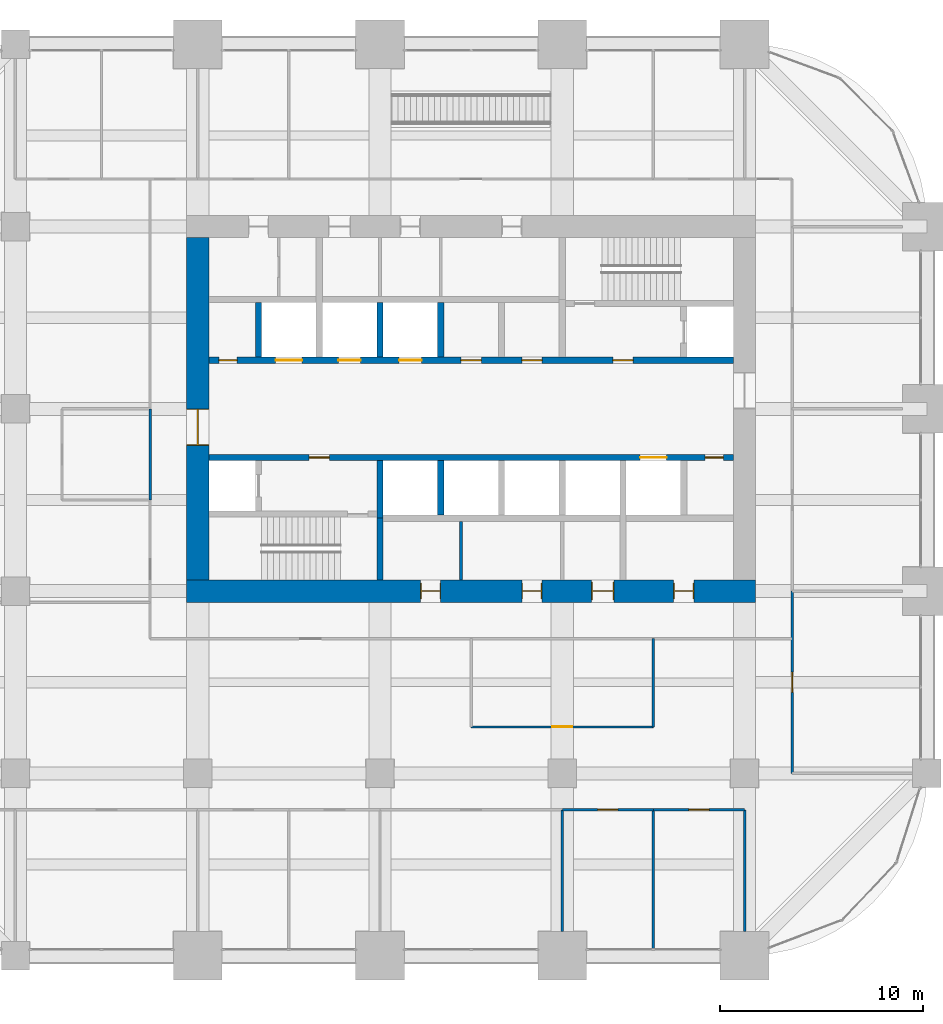
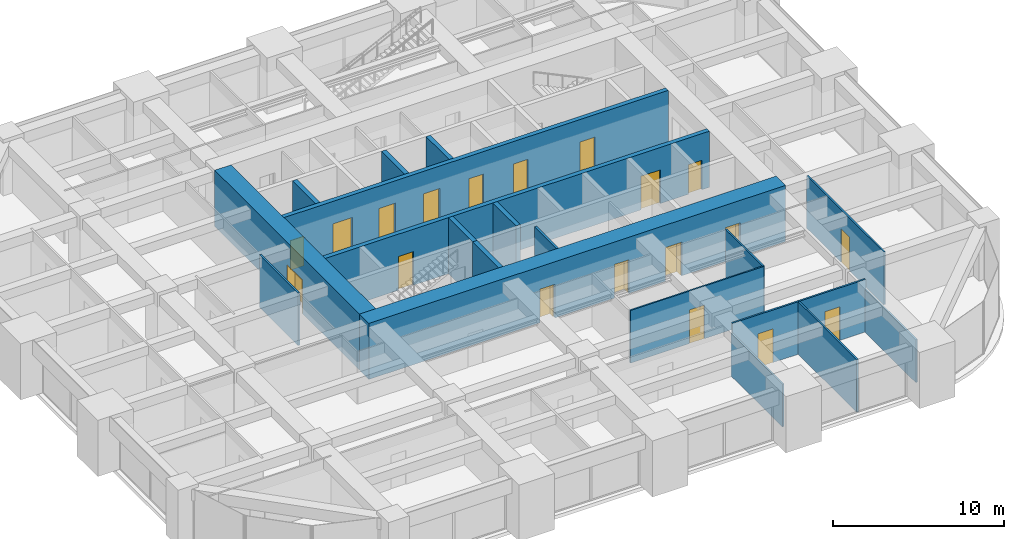
# One storey, part 30 of 34: 20 walls, 19 doors, 19 openings.
"""IFC4 building model written with IfcOpenShell, lengths in metres."""

from ifc_helpers import new_model, si_unit, direction, frame, frame_2d, origin, place, context, subcontext, project, spatial, rectangle, extrude, material, layer, layer_set, type_object, element, fill, save


model = new_model("IFC4")

# Units and contexts
model_context = context("Model", 3, precision=1e-05, world=origin(), true_north=direction((0.0, 1.0)))
body_context = subcontext(model_context, "Body", "Model", "MODEL_VIEW")
ifc_project = project(units=[si_unit("LENGTHUNIT", "METRE"), si_unit("AREAUNIT", "SQUARE_METRE"), si_unit("VOLUMEUNIT", "CUBIC_METRE"), si_unit("PLANEANGLEUNIT", "RADIAN"), si_unit("MASSUNIT", "GRAM", prefix="KILO")], contexts=[model_context])

# Site, building, storey
site_placement = place(None, origin())
site = spatial("IfcSite", under=ifc_project, at=site_placement, CompositionType="ELEMENT")
building_placement = place(site_placement, origin())
building = spatial("IfcBuilding", under=site, at=building_placement, Name="Zorevar Civic Tower", CompositionType="ELEMENT")
storey_placement = place(building_placement, frame((0.0, 0.0, 214.199951171875)))
storey = spatial("IfcBuildingStorey", under=building, at=storey_placement, Name="L52", CompositionType="ELEMENT", Elevation=214.199951171875)

# Wall, openings, doors
ifc_material_1 = material(Name="Concrete C50/60", Category="concrete")
ifc_layer_1 = layer(ifc_material_1, 1.10009765625)
ifc_layer_set_1 = layer_set([ifc_layer_1], Name="Core wall 1100")
wall_type_1 = type_object("IfcWallType", Name="Core wall 1100", PredefinedType="SHEAR", material=ifc_layer_set_1)
wall_1_placement = place(storey_placement, frame((17.449951171875, 18.0, 0.0), z_axis=(0.0, 0.0, 1.0), x_axis=(1.0, 0.0, 0.0)))
wall_1 = element("IfcWall", 1, at=wall_1_placement, inside=storey, type_object=wall_type_1, Name="Core wall S L52", PredefinedType="SHEAR", context=body_context, shape_type="SweptSolid", body=[
    extrude(rectangle(XDim=28.10009765625, YDim=1.10009765625, at=frame_2d((14.050048828125, 0.0))), origin(), (0.0, 0.0, 1.0), 4.0),
])
opening_1_placement = place(wall_1_placement, frame((11.550048828125, 0.0, 0.0)))
opening_1 = element("IfcOpeningElement", 2, at=opening_1_placement, cuts=wall_1, Name="Opening L52.03", PredefinedType="OPENING", context=body_context, shape_type="SweptSolid", body=[
    extrude(rectangle(XDim=1.0, YDim=2.39990234375, at=frame_2d((0.5, 1.199951171875))), frame((0.0, 0.56005859375, 0.0), z_axis=(0.0, -1.0, 0.0), x_axis=(1.0, 0.0, 0.0)), (0.0, 0.0, 1.0), 1.1201171875),
])
opening_2_placement = place(wall_1_placement, frame((16.550048828125, 0.0, 0.0)))
opening_2 = element("IfcOpeningElement", 3, at=opening_2_placement, cuts=wall_1, Name="Opening L52.04", PredefinedType="OPENING", context=body_context, shape_type="SweptSolid", body=[
    extrude(rectangle(XDim=1.0, YDim=2.39990234375, at=frame_2d((0.5, 1.199951171875))), frame((0.0, 0.56005859375, 0.0), z_axis=(0.0, -1.0, 0.0), x_axis=(1.0, 0.0, 0.0)), (0.0, 0.0, 1.0), 1.1201171875),
])
opening_3_placement = place(wall_1_placement, frame((20.0, 0.0, 0.0)))
opening_3 = element("IfcOpeningElement", 4, at=opening_3_placement, cuts=wall_1, Name="Opening L52.05", PredefinedType="OPENING", context=body_context, shape_type="SweptSolid", body=[
    extrude(rectangle(XDim=1.10009765625, YDim=2.39990234375, at=frame_2d((0.550048828125, 1.199951171875))), frame((0.0, 0.56005859375, 0.0), z_axis=(0.0, -1.0, 0.0), x_axis=(1.0, 0.0, 0.0)), (0.0, 0.0, 1.0), 1.1201171875),
])
opening_4_placement = place(wall_1_placement, frame((24.050048828125, 0.0, 0.0)))
opening_4 = element("IfcOpeningElement", 5, at=opening_4_placement, cuts=wall_1, Name="Opening L52.06", PredefinedType="OPENING", context=body_context, shape_type="SweptSolid", body=[
    extrude(rectangle(XDim=1.0, YDim=2.39990234375, at=frame_2d((0.5, 1.199951171875))), frame((0.0, 0.56005859375, 0.0), z_axis=(0.0, -1.0, 0.0), x_axis=(1.0, 0.0, 0.0)), (0.0, 0.0, 1.0), 1.1201171875),
])
ifc_material_2 = material(Name="Timber door set", Category="wood")
door_type_1 = type_object("IfcDoorType", Name="Door D1 1000x2400", OperationType="SINGLE_SWING_LEFT", PredefinedType="DOOR", material=ifc_material_2)
door_1_placement = place(opening_1_placement, origin())
door_1 = element("IfcDoor", 6, at=door_1_placement, inside=storey, type_object=door_type_1, Name="Door L52 02", OperationType="SINGLE_SWING_RIGHT", OverallHeight=2.39990234375, OverallWidth=1.0, PredefinedType="DOOR", context=body_context, shape_type="SweptSolid", body=[
    extrude(rectangle(XDim=1.0, YDim=2.39990234375, at=frame_2d((0.5, 1.199951171875))), frame((0.0, 0.02490234375, 0.0), z_axis=(0.0, -1.0, 0.0), x_axis=(1.0, 0.0, 0.0)), (0.0, 0.0, 1.0), 0.050048828125),
    extrude(rectangle(XDim=0.04, YDim=2.39990234375, at=frame_2d((0.02001953125, 1.199951171875))), frame((0.0, 0.39990234375, 0.0), z_axis=(0.0, -1.0, 0.0), x_axis=(1.0, 0.0, 0.0)), (0.0, 0.0, 1.0), 0.800048828125),
    extrude(rectangle(XDim=0.04, YDim=2.39990234375, at=frame_2d((0.97998046875, 1.199951171875))), frame((0.0, 0.39990234375, 0.0), z_axis=(0.0, -1.0, 0.0), x_axis=(1.0, 0.0, 0.0)), (0.0, 0.0, 1.0), 0.800048828125),
    extrude(rectangle(XDim=1.0, YDim=0.04, at=frame_2d((0.5, 2.3798828125))), frame((0.0, 0.39990234375, 0.0), z_axis=(0.0, -1.0, 0.0), x_axis=(1.0, 0.0, 0.0)), (0.0, 0.0, 1.0), 0.800048828125),
])
fill(opening_1, door_1)
door_2_placement = place(opening_2_placement, origin())
door_2 = element("IfcDoor", 7, at=door_2_placement, inside=storey, type_object=door_type_1, Name="Door L52 03", OperationType="SINGLE_SWING_LEFT", OverallHeight=2.39990234375, OverallWidth=1.0, PredefinedType="DOOR", context=body_context, shape_type="SweptSolid", body=[
    extrude(rectangle(XDim=1.0, YDim=2.39990234375, at=frame_2d((0.5, 1.199951171875))), frame((0.0, 0.02490234375, 0.0), z_axis=(0.0, -1.0, 0.0), x_axis=(1.0, 0.0, 0.0)), (0.0, 0.0, 1.0), 0.050048828125),
    extrude(rectangle(XDim=0.04, YDim=2.39990234375, at=frame_2d((0.02001953125, 1.199951171875))), frame((0.0, 0.39990234375, 0.0), z_axis=(0.0, -1.0, 0.0), x_axis=(1.0, 0.0, 0.0)), (0.0, 0.0, 1.0), 0.800048828125),
    extrude(rectangle(XDim=0.04, YDim=2.39990234375, at=frame_2d((0.97998046875, 1.199951171875))), frame((0.0, 0.39990234375, 0.0), z_axis=(0.0, -1.0, 0.0), x_axis=(1.0, 0.0, 0.0)), (0.0, 0.0, 1.0), 0.800048828125),
    extrude(rectangle(XDim=1.0, YDim=0.04, at=frame_2d((0.5, 2.3798828125))), frame((0.0, 0.39990234375, 0.0), z_axis=(0.0, -1.0, 0.0), x_axis=(1.0, 0.0, 0.0)), (0.0, 0.0, 1.0), 0.800048828125),
])
fill(opening_2, door_2)
door_3_placement = place(opening_4_placement, origin())
door_3 = element("IfcDoor", 8, at=door_3_placement, inside=storey, type_object=door_type_1, Name="Door L52 05", OperationType="SINGLE_SWING_LEFT", OverallHeight=2.39990234375, OverallWidth=1.0, PredefinedType="DOOR", context=body_context, shape_type="SweptSolid", body=[
    extrude(rectangle(XDim=1.0, YDim=2.39990234375, at=frame_2d((0.5, 1.199951171875))), frame((0.0, 0.02490234375, 0.0), z_axis=(0.0, -1.0, 0.0), x_axis=(1.0, 0.0, 0.0)), (0.0, 0.0, 1.0), 0.050048828125),
    extrude(rectangle(XDim=0.04, YDim=2.39990234375, at=frame_2d((0.02001953125, 1.199951171875))), frame((0.0, 0.39990234375, 0.0), z_axis=(0.0, -1.0, 0.0), x_axis=(1.0, 0.0, 0.0)), (0.0, 0.0, 1.0), 0.800048828125),
    extrude(rectangle(XDim=0.04, YDim=2.39990234375, at=frame_2d((0.97998046875, 1.199951171875))), frame((0.0, 0.39990234375, 0.0), z_axis=(0.0, -1.0, 0.0), x_axis=(1.0, 0.0, 0.0)), (0.0, 0.0, 1.0), 0.800048828125),
    extrude(rectangle(XDim=1.0, YDim=0.04, at=frame_2d((0.5, 2.3798828125))), frame((0.0, 0.39990234375, 0.0), z_axis=(0.0, -1.0, 0.0), x_axis=(1.0, 0.0, 0.0)), (0.0, 0.0, 1.0), 0.800048828125),
])
fill(opening_4, door_3)
ifc_material_3 = material(Name="Timber door set", Category="wood")
door_type_2 = type_object("IfcDoorType", Name="Door D5 1100x2400", OperationType="SINGLE_SWING_LEFT", PredefinedType="DOOR", material=ifc_material_3)
door_4_placement = place(opening_3_placement, origin())
door_4 = element("IfcDoor", 9, at=door_4_placement, inside=storey, type_object=door_type_2, Name="Door L52 04", OperationType="SINGLE_SWING_LEFT", OverallHeight=2.39990234375, OverallWidth=1.10009765625, PredefinedType="DOOR", context=body_context, shape_type="SweptSolid", body=[
    extrude(rectangle(XDim=1.10009765625, YDim=2.39990234375, at=frame_2d((0.550048828125, 1.199951171875))), frame((0.0, 0.02490234375, 0.0), z_axis=(0.0, -1.0, 0.0), x_axis=(1.0, 0.0, 0.0)), (0.0, 0.0, 1.0), 0.050048828125),
    extrude(rectangle(XDim=0.04, YDim=2.39990234375, at=frame_2d((0.02001953125, 1.199951171875))), frame((0.0, 0.43994140625, 0.0), z_axis=(0.0, -1.0, 0.0), x_axis=(1.0, 0.0, 0.0)), (0.0, 0.0, 1.0), 0.880126953125),
    extrude(rectangle(XDim=0.04, YDim=2.39990234375, at=frame_2d((1.080078125, 1.199951171875))), frame((0.0, 0.43994140625, 0.0), z_axis=(0.0, -1.0, 0.0), x_axis=(1.0, 0.0, 0.0)), (0.0, 0.0, 1.0), 0.880126953125),
    extrude(rectangle(XDim=1.10009765625, YDim=0.04, at=frame_2d((0.550048828125, 2.3798828125))), frame((0.0, 0.43994140625, 0.0), z_axis=(0.0, -1.0, 0.0), x_axis=(1.0, 0.0, 0.0)), (0.0, 0.0, 1.0), 0.880126953125),
])
fill(opening_3, door_4)

# Wall, opening, door
wall_2_placement = place(storey_placement, frame((18.0, 35.449951171875, 0.0), z_axis=(0.0, 0.0, 1.0), x_axis=(0.0, -1.0, 0.0)))
wall_2 = element("IfcWall", 10, at=wall_2_placement, inside=storey, type_object=wall_type_1, Name="Core wall W L52", PredefinedType="SHEAR", context=body_context, shape_type="SweptSolid", body=[
    extrude(rectangle(XDim=16.89990234375, YDim=1.10009765625, at=frame_2d((8.449951171875, 0.0))), origin(), (0.0, 0.0, 1.0), 4.0),
])
opening_5_placement = place(wall_2_placement, frame((8.449951171875, 0.0, 0.0)))
opening_5 = element("IfcOpeningElement", 11, at=opening_5_placement, cuts=wall_2, Name="Opening L52.01", PredefinedType="OPENING", context=body_context, shape_type="SweptSolid", body=[
    extrude(rectangle(XDim=1.800048828125, YDim=2.39990234375, at=frame_2d((0.89990234375, 1.199951171875))), frame((0.0, 0.56005859375, 0.0), z_axis=(0.0, -1.0, 0.0), x_axis=(1.0, 0.0, 0.0)), (0.0, 0.0, 1.0), 1.1201171875),
])
ifc_material_4 = material(Name="Steel door set", Category="steel")
door_type_3 = type_object("IfcDoorType", Name="Fire door FD2 1800x2400", OperationType="DOUBLE_DOOR_DOUBLE_SWING", PredefinedType="DOOR", material=ifc_material_4)
door_5_placement = place(opening_5_placement, origin())
door_5 = element("IfcDoor", 12, at=door_5_placement, inside=storey, type_object=door_type_3, Name="Door L52 00", OperationType="DOUBLE_DOOR_DOUBLE_SWING", OverallHeight=2.39990234375, OverallWidth=1.800048828125, PredefinedType="DOOR", context=body_context, shape_type="SweptSolid", body=[
    extrude(rectangle(XDim=1.800048828125, YDim=2.39990234375, at=frame_2d((0.89990234375, 1.199951171875))), frame((0.0, 0.030029296875, 0.0), z_axis=(0.0, -1.0, 0.0), x_axis=(1.0, 0.0, 0.0)), (0.0, 0.0, 1.0), 0.06005859375),
    extrude(rectangle(XDim=0.04, YDim=2.39990234375, at=frame_2d((0.02001953125, 1.199951171875))), frame((0.0, 0.5498046875, 0.0), z_axis=(0.0, -1.0, 0.0), x_axis=(1.0, 0.0, 0.0)), (0.0, 0.0, 1.0), 1.099609375),
    extrude(rectangle(XDim=0.04, YDim=2.39990234375, at=frame_2d((1.780029296875, 1.199951171875))), frame((0.0, 0.5498046875, 0.0), z_axis=(0.0, -1.0, 0.0), x_axis=(1.0, 0.0, 0.0)), (0.0, 0.0, 1.0), 1.099609375),
    extrude(rectangle(XDim=1.800048828125, YDim=0.04, at=frame_2d((0.89990234375, 2.3798828125))), frame((0.0, 0.5498046875, 0.0), z_axis=(0.0, -1.0, 0.0), x_axis=(1.0, 0.0, 0.0)), (0.0, 0.0, 1.0), 1.099609375),
])
fill(opening_5, door_5)

ifc_material_5 = material(Name="Laminated glass in black aluminium frame", Category="aluminium")
ifc_layer_2 = layer(ifc_material_5, 0.10009765625)
ifc_layer_set_2 = layer_set([ifc_layer_2], Name="Glazed partition 100")
wall_type_2 = type_object("IfcWallType", Name="Glazed partition 100", PredefinedType="PARTITIONING", material=ifc_layer_set_2)
wall_3_placement = place(storey_placement, frame((31.5, 11.300048828125, 0.0), z_axis=(0.0, 0.0, 1.0), x_axis=(1.0, 0.0, 0.0)))
wall_3 = element("IfcWall", 13, at=wall_3_placement, inside=storey, type_object=wall_type_2, Name="Glazed partition 100 L52", PredefinedType="PARTITIONING", context=body_context, shape_type="SweptSolid", body=[
    extrude(rectangle(XDim=9.0, YDim=0.10009765625, at=frame_2d((4.5, 0.0))), origin(), (0.0, 0.0, 1.0), 3.75),
])
opening_6_placement = place(wall_3_placement, frame((4.0, 0.0, 0.0)))
opening_6 = element("IfcOpeningElement", 14, at=opening_6_placement, cuts=wall_3, Name="Opening L52.24", PredefinedType="OPENING", context=body_context, shape_type="SweptSolid", body=[
    extrude(rectangle(XDim=1.0, YDim=2.39990234375, at=frame_2d((0.5, 1.199951171875))), frame((0.0, 0.06005859375, 0.0), z_axis=(0.0, -1.0, 0.0), x_axis=(1.0, 0.0, 0.0)), (0.0, 0.0, 1.0), 0.1201171875),
])
ifc_material_6 = material(Name="Timber door set", Category="wood")
door_type_4 = type_object("IfcDoorType", Name="Glazed door GD1 1000x2400", OperationType="SINGLE_SWING_LEFT", PredefinedType="DOOR", material=ifc_material_6)
door_6_placement = place(opening_6_placement, origin())
door_6 = element("IfcDoor", 15, at=door_6_placement, inside=storey, type_object=door_type_4, Name="Door L52 D1", OperationType="SINGLE_SWING_RIGHT", OverallHeight=2.39990234375, OverallWidth=1.0, PredefinedType="DOOR", context=body_context, shape_type="SweptSolid", body=[
    extrude(rectangle(XDim=1.0, YDim=2.39990234375, at=frame_2d((0.5, 1.199951171875))), frame((0.0, 0.02001953125, 0.0), z_axis=(0.0, -1.0, 0.0), x_axis=(1.0, 0.0, 0.0)), (0.0, 0.0, 1.0), 0.0400390625),
])
fill(opening_6, door_6)

# Wall
ifc_material_7 = material(Name="Concrete C40/50", Category="concrete")
ifc_layer_3 = layer(ifc_material_7, 0.300048828125)
ifc_layer_set_3 = layer_set([ifc_layer_3], Name="Inner core wall 300")
wall_type_3 = type_object("IfcWallType", Name="Inner core wall 300", PredefinedType="SHEAR", material=ifc_layer_set_3)
wall_4_placement = place(storey_placement, frame((27.0, 18.550048828125, 0.0), z_axis=(0.0, 0.0, 1.0), x_axis=(0.0, 1.0, 0.0)))
element("IfcWall", 16, at=wall_4_placement, inside=storey, type_object=wall_type_3, Name="Inner core wall S01 L52", PredefinedType="SHEAR", context=body_context, shape_type="SweptSolid", body=[
    extrude(rectangle(XDim=3.050048828125, YDim=0.300048828125, at=frame_2d((1.52490234375, 0.0))), origin(), (0.0, 0.0, 1.0), 4.0),
])

# Wall, openings, doors
wall_5_placement = place(storey_placement, frame((18.550048828125, 24.60009765625, 0.0), z_axis=(0.0, 0.0, 1.0), x_axis=(1.0, 0.0, 0.0)))
wall_5 = element("IfcWall", 17, at=wall_5_placement, inside=storey, type_object=wall_type_3, Name="Inner core wall S03 L52", PredefinedType="SHEAR", context=body_context, shape_type="SweptSolid", body=[
    extrude(rectangle(XDim=25.89990234375, YDim=0.300048828125, at=frame_2d((12.949951171875, 0.0))), origin(), (0.0, 0.0, 1.0), 4.0),
])
opening_7_placement = place(wall_5_placement, frame((4.949951171875, 0.0, 0.0)))
opening_7 = element("IfcOpeningElement", 18, at=opening_7_placement, cuts=wall_5, Name="Opening L52.13", PredefinedType="OPENING", context=body_context, shape_type="SweptSolid", body=[
    extrude(rectangle(XDim=1.0, YDim=2.39990234375, at=frame_2d((0.5, 1.199951171875))), frame((0.0, 0.159912109375, 0.0), z_axis=(0.0, -1.0, 0.0), x_axis=(1.0, 0.0, 0.0)), (0.0, 0.0, 1.0), 0.320068359375),
])
opening_8_placement = place(wall_5_placement, frame((24.5, 0.0, 0.0)))
opening_8 = element("IfcOpeningElement", 19, at=opening_8_placement, cuts=wall_5, Name="Opening L52.15", PredefinedType="OPENING", context=body_context, shape_type="SweptSolid", body=[
    extrude(rectangle(XDim=0.89990234375, YDim=2.10009765625, at=frame_2d((0.449951171875, 1.050048828125))), frame((0.0, 0.159912109375, 0.0), z_axis=(0.0, -1.0, 0.0), x_axis=(1.0, 0.0, 0.0)), (0.0, 0.0, 1.0), 0.320068359375),
])
opening_9_placement = place(wall_5_placement, frame((21.300048828125, 0.0, 0.0)))
opening_9 = element("IfcOpeningElement", 20, at=opening_9_placement, cuts=wall_5, Name="Opening L52.SL1", PredefinedType="OPENING", context=body_context, shape_type="SweptSolid", body=[
    extrude(rectangle(XDim=1.300048828125, YDim=2.39990234375, at=frame_2d((0.64990234375, 1.199951171875))), frame((0.0, 0.159912109375, 0.0), z_axis=(0.0, -1.0, 0.0), x_axis=(1.0, 0.0, 0.0)), (0.0, 0.0, 1.0), 0.320068359375),
])
ifc_material_8 = material(Name="Steel door set", Category="steel")
door_type_5 = type_object("IfcDoorType", Name="Fire door FD1 1000x2400", OperationType="SINGLE_SWING_LEFT", PredefinedType="DOOR", material=ifc_material_8)
door_7_placement = place(opening_7_placement, origin())
door_7 = element("IfcDoor", 21, at=door_7_placement, inside=storey, type_object=door_type_5, Name="Door L52 12", OperationType="SINGLE_SWING_RIGHT", OverallHeight=2.39990234375, OverallWidth=1.0, PredefinedType="DOOR", context=body_context, shape_type="SweptSolid", body=[
    extrude(rectangle(XDim=1.0, YDim=2.39990234375, at=frame_2d((0.5, 1.199951171875))), frame((0.0, 0.030029296875, 0.0), z_axis=(0.0, -1.0, 0.0), x_axis=(1.0, 0.0, 0.0)), (0.0, 0.0, 1.0), 0.06005859375),
])
fill(opening_7, door_7)
ifc_material_9 = material(Name="Steel door set", Category="steel")
door_type_6 = type_object("IfcDoorType", Name="Landing door LD2 1300x2400", OperationType="DOUBLE_DOOR_SLIDING", PredefinedType="DOOR", material=ifc_material_9)
door_8_placement = place(opening_9_placement, origin())
door_8 = element("IfcDoor", 22, at=door_8_placement, inside=storey, type_object=door_type_6, Name="Landing door SL1 L52", OperationType="DOUBLE_DOOR_SLIDING", OverallHeight=2.39990234375, OverallWidth=1.300048828125, PredefinedType="DOOR", context=body_context, shape_type="SweptSolid", body=[
    extrude(rectangle(XDim=1.300048828125, YDim=2.39990234375, at=frame_2d((0.64990234375, 1.199951171875))), frame((0.0, 0.02001953125, 0.0), z_axis=(0.0, -1.0, 0.0), x_axis=(1.0, 0.0, 0.0)), (0.0, 0.0, 1.0), 0.0400390625),
])
fill(opening_9, door_8)
ifc_material_10 = material(Name="Steel door set", Category="steel")
door_type_7 = type_object("IfcDoorType", Name="Riser door RD1 900x2100", OperationType="SINGLE_SWING_LEFT", PredefinedType="DOOR", material=ifc_material_10)
door_9_placement = place(opening_8_placement, origin())
door_9 = element("IfcDoor", 23, at=door_9_placement, inside=storey, type_object=door_type_7, Name="Door L52 14", OperationType="SINGLE_SWING_RIGHT", OverallHeight=2.10009765625, OverallWidth=0.89990234375, PredefinedType="DOOR", context=body_context, shape_type="SweptSolid", body=[
    extrude(rectangle(XDim=0.89990234375, YDim=2.10009765625, at=frame_2d((0.449951171875, 1.050048828125))), frame((0.0, 0.030029296875, 0.0), z_axis=(0.0, -1.0, 0.0), x_axis=(1.0, 0.0, 0.0)), (0.0, 0.0, 1.0), 0.06005859375),
])
fill(opening_8, door_9)

wall_6_placement = place(storey_placement, frame((18.550048828125, 29.39990234375, 0.0), z_axis=(0.0, 0.0, 1.0), x_axis=(1.0, 0.0, 0.0)))
wall_6 = element("IfcWall", 24, at=wall_6_placement, inside=storey, type_object=wall_type_3, Name="Inner core wall N03 L52", PredefinedType="SHEAR", context=body_context, shape_type="SweptSolid", body=[
    extrude(rectangle(XDim=25.89990234375, YDim=0.300048828125, at=frame_2d((12.949951171875, 0.0))), origin(), (0.0, 0.0, 1.0), 4.0),
])
opening_10_placement = place(wall_6_placement, frame((19.949951171875, 0.0, 0.0)))
opening_10 = element("IfcOpeningElement", 25, at=opening_10_placement, cuts=wall_6, Name="Opening L52.14", PredefinedType="OPENING", context=body_context, shape_type="SweptSolid", body=[
    extrude(rectangle(XDim=1.0, YDim=2.39990234375, at=frame_2d((0.5, 1.199951171875))), frame((0.0, 0.159912109375, 0.0), z_axis=(0.0, -1.0, 0.0), x_axis=(1.0, 0.0, 0.0)), (0.0, 0.0, 1.0), 0.320068359375),
])
opening_11_placement = place(wall_6_placement, frame((0.5, 0.0, 0.0)))
opening_11 = element("IfcOpeningElement", 26, at=opening_11_placement, cuts=wall_6, Name="Opening L52.16", PredefinedType="OPENING", context=body_context, shape_type="SweptSolid", body=[
    extrude(rectangle(XDim=0.89990234375, YDim=2.10009765625, at=frame_2d((0.449951171875, 1.050048828125))), frame((0.0, 0.159912109375, 0.0), z_axis=(0.0, -1.0, 0.0), x_axis=(1.0, 0.0, 0.0)), (0.0, 0.0, 1.0), 0.320068359375),
])
opening_12_placement = place(wall_6_placement, frame((15.449951171875, 0.0, 0.0)))
opening_12 = element("IfcOpeningElement", 27, at=opening_12_placement, cuts=wall_6, Name="Opening L52.44", PredefinedType="OPENING", context=body_context, shape_type="SweptSolid", body=[
    extrude(rectangle(XDim=1.0, YDim=2.39990234375, at=frame_2d((0.5, 1.199951171875))), frame((0.0, 0.159912109375, 0.0), z_axis=(0.0, -1.0, 0.0), x_axis=(1.0, 0.0, 0.0)), (0.0, 0.0, 1.0), 0.320068359375),
])
opening_13_placement = place(wall_6_placement, frame((12.449951171875, 0.0, 0.0)))
opening_13 = element("IfcOpeningElement", 28, at=opening_13_placement, cuts=wall_6, Name="Opening L52.45", PredefinedType="OPENING", context=body_context, shape_type="SweptSolid", body=[
    extrude(rectangle(XDim=1.0, YDim=2.39990234375, at=frame_2d((0.5, 1.199951171875))), frame((0.0, 0.159912109375, 0.0), z_axis=(0.0, -1.0, 0.0), x_axis=(1.0, 0.0, 0.0)), (0.0, 0.0, 1.0), 0.320068359375),
])
opening_14_placement = place(wall_6_placement, frame((9.39990234375, 0.0, 0.0)))
opening_14 = element("IfcOpeningElement", 29, at=opening_14_placement, cuts=wall_6, Name="Opening L52.LH1", PredefinedType="OPENING", context=body_context, shape_type="SweptSolid", body=[
    extrude(rectangle(XDim=1.10009765625, YDim=2.39990234375, at=frame_2d((0.550048828125, 1.199951171875))), frame((0.0, 0.159912109375, 0.0), z_axis=(0.0, -1.0, 0.0), x_axis=(1.0, 0.0, 0.0)), (0.0, 0.0, 1.0), 0.320068359375),
])
opening_15_placement = place(wall_6_placement, frame((6.39990234375, 0.0, 0.0)))
opening_15 = element("IfcOpeningElement", 30, at=opening_15_placement, cuts=wall_6, Name="Opening L52.LH2", PredefinedType="OPENING", context=body_context, shape_type="SweptSolid", body=[
    extrude(rectangle(XDim=1.10009765625, YDim=2.39990234375, at=frame_2d((0.550048828125, 1.199951171875))), frame((0.0, 0.159912109375, 0.0), z_axis=(0.0, -1.0, 0.0), x_axis=(1.0, 0.0, 0.0)), (0.0, 0.0, 1.0), 0.320068359375),
])
opening_16_placement = place(wall_6_placement, frame((3.300048828125, 0.0, 0.0)))
opening_16 = element("IfcOpeningElement", 31, at=opening_16_placement, cuts=wall_6, Name="Opening L52.SL2", PredefinedType="OPENING", context=body_context, shape_type="SweptSolid", body=[
    extrude(rectangle(XDim=1.300048828125, YDim=2.39990234375, at=frame_2d((0.64990234375, 1.199951171875))), frame((0.0, 0.159912109375, 0.0), z_axis=(0.0, -1.0, 0.0), x_axis=(1.0, 0.0, 0.0)), (0.0, 0.0, 1.0), 0.320068359375),
])
door_10_placement = place(opening_10_placement, origin())
door_10 = element("IfcDoor", 32, at=door_10_placement, inside=storey, type_object=door_type_5, Name="Door L52 13", OperationType="SINGLE_SWING_RIGHT", OverallHeight=2.39990234375, OverallWidth=1.0, PredefinedType="DOOR", context=body_context, shape_type="SweptSolid", body=[
    extrude(rectangle(XDim=1.0, YDim=2.39990234375, at=frame_2d((0.5, 1.199951171875))), frame((0.0, 0.030029296875, 0.0), z_axis=(0.0, -1.0, 0.0), x_axis=(1.0, 0.0, 0.0)), (0.0, 0.0, 1.0), 0.06005859375),
])
fill(opening_10, door_10)
door_11_placement = place(opening_12_placement, origin())
door_11 = element("IfcDoor", 33, at=door_11_placement, inside=storey, type_object=door_type_5, Name="Door L52 LM1 shaft room", OperationType="SINGLE_SWING_LEFT", OverallHeight=2.39990234375, OverallWidth=1.0, PredefinedType="DOOR", context=body_context, shape_type="SweptSolid", body=[
    extrude(rectangle(XDim=1.0, YDim=2.39990234375, at=frame_2d((0.5, 1.199951171875))), frame((0.0, 0.030029296875, 0.0), z_axis=(0.0, -1.0, 0.0), x_axis=(1.0, 0.0, 0.0)), (0.0, 0.0, 1.0), 0.06005859375),
])
fill(opening_12, door_11)
door_12_placement = place(opening_13_placement, origin())
door_12 = element("IfcDoor", 34, at=door_12_placement, inside=storey, type_object=door_type_5, Name="Door L52 LM2 shaft room", OperationType="SINGLE_SWING_LEFT", OverallHeight=2.39990234375, OverallWidth=1.0, PredefinedType="DOOR", context=body_context, shape_type="SweptSolid", body=[
    extrude(rectangle(XDim=1.0, YDim=2.39990234375, at=frame_2d((0.5, 1.199951171875))), frame((0.0, 0.030029296875, 0.0), z_axis=(0.0, -1.0, 0.0), x_axis=(1.0, 0.0, 0.0)), (0.0, 0.0, 1.0), 0.06005859375),
])
fill(opening_13, door_12)
ifc_material_11 = material(Name="Steel door set", Category="steel")
door_type_8 = type_object("IfcDoorType", Name="Landing door LD1 1100x2400", OperationType="DOUBLE_DOOR_SLIDING", PredefinedType="DOOR", material=ifc_material_11)
door_13_placement = place(opening_14_placement, origin())
door_13 = element("IfcDoor", 35, at=door_13_placement, inside=storey, type_object=door_type_8, Name="Landing door LH1 L52", OperationType="DOUBLE_DOOR_SLIDING", OverallHeight=2.39990234375, OverallWidth=1.10009765625, PredefinedType="DOOR", context=body_context, shape_type="SweptSolid", body=[
    extrude(rectangle(XDim=1.10009765625, YDim=2.39990234375, at=frame_2d((0.550048828125, 1.199951171875))), frame((0.0, 0.02001953125, 0.0), z_axis=(0.0, -1.0, 0.0), x_axis=(1.0, 0.0, 0.0)), (0.0, 0.0, 1.0), 0.0400390625),
])
fill(opening_14, door_13)
door_14_placement = place(opening_15_placement, origin())
door_14 = element("IfcDoor", 36, at=door_14_placement, inside=storey, type_object=door_type_8, Name="Landing door LH2 L52", OperationType="DOUBLE_DOOR_SLIDING", OverallHeight=2.39990234375, OverallWidth=1.10009765625, PredefinedType="DOOR", context=body_context, shape_type="SweptSolid", body=[
    extrude(rectangle(XDim=1.10009765625, YDim=2.39990234375, at=frame_2d((0.550048828125, 1.199951171875))), frame((0.0, 0.02001953125, 0.0), z_axis=(0.0, -1.0, 0.0), x_axis=(1.0, 0.0, 0.0)), (0.0, 0.0, 1.0), 0.0400390625),
])
fill(opening_15, door_14)
door_15_placement = place(opening_16_placement, origin())
door_15 = element("IfcDoor", 37, at=door_15_placement, inside=storey, type_object=door_type_6, Name="Landing door SL2 L52", OperationType="DOUBLE_DOOR_SLIDING", OverallHeight=2.39990234375, OverallWidth=1.300048828125, PredefinedType="DOOR", context=body_context, shape_type="SweptSolid", body=[
    extrude(rectangle(XDim=1.300048828125, YDim=2.39990234375, at=frame_2d((0.64990234375, 1.199951171875))), frame((0.0, 0.02001953125, 0.0), z_axis=(0.0, -1.0, 0.0), x_axis=(1.0, 0.0, 0.0)), (0.0, 0.0, 1.0), 0.0400390625),
])
fill(opening_16, door_15)
door_16_placement = place(opening_11_placement, origin())
door_16 = element("IfcDoor", 38, at=door_16_placement, inside=storey, type_object=door_type_7, Name="Door L52 15", OperationType="SINGLE_SWING_RIGHT", OverallHeight=2.10009765625, OverallWidth=0.89990234375, PredefinedType="DOOR", context=body_context, shape_type="SweptSolid", body=[
    extrude(rectangle(XDim=0.89990234375, YDim=2.10009765625, at=frame_2d((0.449951171875, 1.050048828125))), frame((0.0, 0.030029296875, 0.0), z_axis=(0.0, -1.0, 0.0), x_axis=(1.0, 0.0, 0.0)), (0.0, 0.0, 1.0), 0.06005859375),
])
fill(opening_11, door_16)

# Walls
for number, where, z_axis, x_axis, name in (
    (39, (30.0, 21.75, 0.0), (0.0, 0.0, 1.0), (0.0, 1.0, 0.0), "Inner core wall S05 L52"),
    (40, (30.0, 29.550048828125, 0.0), (0.0, 0.0, 1.0), (0.0, 1.0, 0.0), "Inner core wall N06 L52"),
    (41, (27.0, 29.550048828125, 0.0), (0.0, 0.0, 1.0), (0.0, 1.0, 0.0), "Inner core wall N07 L52"),
    (42, (21.0, 29.550048828125, 0.0), (0.0, 0.0, 1.0), (0.0, 1.0, 0.0), "Inner core wall N09 L52"),
):
    element("IfcWall", number, at=place(storey_placement, frame(where, z_axis=z_axis, x_axis=x_axis)), inside=storey, type_object=wall_type_3, Name=name, PredefinedType="SHEAR", context=body_context, shape_type="SweptSolid", body=[
        extrude(rectangle(XDim=2.699951171875, YDim=0.300048828125, at=frame_2d((1.35009765625, 0.0))), origin(), (0.0, 0.0, 1.0), 4.0),
    ])
wall_7_placement = place(storey_placement, frame((27.0, 21.60009765625, 0.0), z_axis=(0.0, 0.0, 1.0), x_axis=(0.0, 1.0, 0.0)))
element("IfcWall", 43, at=wall_7_placement, inside=storey, type_object=wall_type_3, Name="Inner core wall S10 L52", PredefinedType="SHEAR", context=body_context, shape_type="SweptSolid", body=[
    extrude(rectangle(XDim=2.849853515625, YDim=0.300048828125, at=frame_2d((1.4248046875, 0.0))), origin(), (0.0, 0.0, 1.0), 4.0),
])

# Wall, opening, door
ifc_material_12 = material(Name="Gypsum board on steel studs", Category="steel")
ifc_layer_4 = layer(ifc_material_12, 0.1201171875)
ifc_layer_set_4 = layer_set([ifc_layer_4], Name="Partition 120")
wall_type_4 = type_object("IfcWallType", Name="Partition 120", PredefinedType="PARTITIONING", material=ifc_layer_set_4)
wall_8_placement = place(storey_placement, frame((36.0, 7.199951171875, 0.0), z_axis=(0.0, 0.0, 1.0), x_axis=(1.0, 0.0, 0.0)))
wall_8 = element("IfcWall", 44, at=wall_8_placement, inside=storey, type_object=wall_type_4, Name="Partition 120 L52", PredefinedType="PARTITIONING", context=body_context, shape_type="SweptSolid", body=[
    extrude(rectangle(XDim=4.5, YDim=0.1201171875, at=frame_2d((2.25, 0.0))), origin(), (0.0, 0.0, 1.0), 3.75),
])
opening_17_placement = place(wall_8_placement, frame((1.75, 0.0, 0.0)))
opening_17 = element("IfcOpeningElement", 45, at=opening_17_placement, cuts=wall_8, Name="Opening L52.21", PredefinedType="OPENING", context=body_context, shape_type="SweptSolid", body=[
    extrude(rectangle(XDim=1.0, YDim=2.39990234375, at=frame_2d((0.5, 1.199951171875))), frame((0.0, 0.070068359375, 0.0), z_axis=(0.0, -1.0, 0.0), x_axis=(1.0, 0.0, 0.0)), (0.0, 0.0, 1.0), 0.14013671875),
])
door_17_placement = place(opening_17_placement, origin())
door_17 = element("IfcDoor", 46, at=door_17_placement, inside=storey, type_object=door_type_1, Name="Door L52 D1", OperationType="SINGLE_SWING_LEFT", OverallHeight=2.39990234375, OverallWidth=1.0, PredefinedType="DOOR", context=body_context, shape_type="SweptSolid", body=[
    extrude(rectangle(XDim=1.0, YDim=2.39990234375, at=frame_2d((0.5, 1.199951171875))), frame((0.0, 0.02490234375, 0.0), z_axis=(0.0, -1.0, 0.0), x_axis=(1.0, 0.0, 0.0)), (0.0, 0.0, 1.0), 0.050048828125),
])
fill(opening_17, door_17)

wall_9_placement = place(storey_placement, frame((40.5, 7.199951171875, 0.0), z_axis=(0.0, 0.0, 1.0), x_axis=(1.0, 0.0, 0.0)))
wall_9 = element("IfcWall", 47, at=wall_9_placement, inside=storey, type_object=wall_type_4, Name="Partition 120 L52", PredefinedType="PARTITIONING", context=body_context, shape_type="SweptSolid", body=[
    extrude(rectangle(XDim=4.5, YDim=0.1201171875, at=frame_2d((2.25, 0.0))), origin(), (0.0, 0.0, 1.0), 3.75),
])
opening_18_placement = place(wall_9_placement, frame((1.75, 0.0, 0.0)))
opening_18 = element("IfcOpeningElement", 48, at=opening_18_placement, cuts=wall_9, Name="Opening L52.22", PredefinedType="OPENING", context=body_context, shape_type="SweptSolid", body=[
    extrude(rectangle(XDim=1.0, YDim=2.39990234375, at=frame_2d((0.5, 1.199951171875))), frame((0.0, 0.070068359375, 0.0), z_axis=(0.0, -1.0, 0.0), x_axis=(1.0, 0.0, 0.0)), (0.0, 0.0, 1.0), 0.14013671875),
])
door_18_placement = place(opening_18_placement, origin())
door_18 = element("IfcDoor", 49, at=door_18_placement, inside=storey, type_object=door_type_1, Name="Door L52 D1", OperationType="SINGLE_SWING_LEFT", OverallHeight=2.39990234375, OverallWidth=1.0, PredefinedType="DOOR", context=body_context, shape_type="SweptSolid", body=[
    extrude(rectangle(XDim=1.0, YDim=2.39990234375, at=frame_2d((0.5, 1.199951171875))), frame((0.0, 0.02490234375, 0.0), z_axis=(0.0, -1.0, 0.0), x_axis=(1.0, 0.0, 0.0)), (0.0, 0.0, 1.0), 0.050048828125),
])
fill(opening_18, door_18)

# Walls
wall_10_placement = place(storey_placement, frame((15.64990234375, 22.5, 0.0), z_axis=(0.0, 0.0, 1.0), x_axis=(0.0, 1.0, 0.0)))
element("IfcWall", 50, at=wall_10_placement, inside=storey, type_object=wall_type_4, Name="Partition 120 L52", PredefinedType="PARTITIONING", context=body_context, shape_type="SweptSolid", body=[
    extrude(rectangle(XDim=4.5, YDim=0.1201171875, at=frame_2d((2.25, 0.0))), origin(), (0.0, 0.0, 1.0), 3.75),
])
wall_11_placement = place(storey_placement, frame((36.0, 1.199951171875, 0.0), z_axis=(0.0, 0.0, 1.0), x_axis=(0.0, 1.0, 0.0)))
element("IfcWall", 51, at=wall_11_placement, inside=storey, type_object=wall_type_4, Name="Partition 120 L52", PredefinedType="PARTITIONING", context=body_context, shape_type="SweptSolid", body=[
    extrude(rectangle(XDim=6.0, YDim=0.1201171875, at=frame_2d((3.0, 0.0))), origin(), (0.0, 0.0, 1.0), 3.050048828125),
])
wall_12_placement = place(storey_placement, frame((40.5, 0.31005859375, 0.0), z_axis=(0.0, 0.0, 1.0), x_axis=(0.0, 1.0, 0.0)))
element("IfcWall", 52, at=wall_12_placement, inside=storey, type_object=wall_type_4, Name="Partition 120 L52", PredefinedType="PARTITIONING", context=body_context, shape_type="SweptSolid", body=[
    extrude(rectangle(XDim=6.889892578125, YDim=0.1201171875, at=frame_2d((3.44482421875, 0.0))), origin(), (0.0, 0.0, 1.0), 3.75),
])
wall_13_placement = place(storey_placement, frame((40.5, 11.300048828125, 0.0), z_axis=(0.0, 0.0, 1.0), x_axis=(0.0, 1.0, 0.0)))
element("IfcWall", 53, at=wall_13_placement, inside=storey, type_object=wall_type_4, Name="Partition 120 L52", PredefinedType="PARTITIONING", context=body_context, shape_type="SweptSolid", body=[
    extrude(rectangle(XDim=4.349853515625, YDim=0.1201171875, at=frame_2d((2.1748046875, 0.0))), origin(), (0.0, 0.0, 1.0), 3.75),
])
wall_14_placement = place(storey_placement, frame((45.0, 1.199951171875, 0.0), z_axis=(0.0, 0.0, 1.0), x_axis=(0.0, 1.0, 0.0)))
element("IfcWall", 54, at=wall_14_placement, inside=storey, type_object=wall_type_4, Name="Partition 120 L52", PredefinedType="PARTITIONING", context=body_context, shape_type="SweptSolid", body=[
    extrude(rectangle(XDim=6.0, YDim=0.1201171875, at=frame_2d((3.0, 0.0))), origin(), (0.0, 0.0, 1.0), 3.050048828125),
])

# Wall, opening, door
wall_15_placement = place(storey_placement, frame((47.35009765625, 9.0, 0.0), z_axis=(0.0, 0.0, 1.0), x_axis=(0.0, 1.0, 0.0)))
wall_15 = element("IfcWall", 55, at=wall_15_placement, inside=storey, type_object=wall_type_4, Name="Partition 120 L52", PredefinedType="PARTITIONING", context=body_context, shape_type="SweptSolid", body=[
    extrude(rectangle(XDim=9.0, YDim=0.1201171875, at=frame_2d((4.5, 0.0))), origin(), (0.0, 0.0, 1.0), 3.75),
])
opening_19_placement = place(wall_15_placement, frame((4.0, 0.0, 0.0)))
opening_19 = element("IfcOpeningElement", 56, at=opening_19_placement, cuts=wall_15, Name="Opening L52.40", PredefinedType="OPENING", context=body_context, shape_type="SweptSolid", body=[
    extrude(rectangle(XDim=1.0, YDim=2.39990234375, at=frame_2d((0.5, 1.199951171875))), frame((0.0, 0.070068359375, 0.0), z_axis=(0.0, -1.0, 0.0), x_axis=(1.0, 0.0, 0.0)), (0.0, 0.0, 1.0), 0.14013671875),
])
door_19_placement = place(opening_19_placement, origin())
door_19 = element("IfcDoor", 57, at=door_19_placement, inside=storey, type_object=door_type_1, Name="Door L52 D1", OperationType="SINGLE_SWING_LEFT", OverallHeight=2.39990234375, OverallWidth=1.0, PredefinedType="DOOR", context=body_context, shape_type="SweptSolid", body=[
    extrude(rectangle(XDim=1.0, YDim=2.39990234375, at=frame_2d((0.5, 1.199951171875))), frame((0.0, 0.02490234375, 0.0), z_axis=(0.0, -1.0, 0.0), x_axis=(1.0, 0.0, 0.0)), (0.0, 0.0, 1.0), 0.050048828125),
])
fill(opening_19, door_19)

# Wall
ifc_material_13 = material(Name="Gypsum board on steel studs, moisture resistant", Category="steel")
ifc_layer_5 = layer(ifc_material_13, 0.14990234375)
ifc_layer_set_5 = layer_set([ifc_layer_5], Name="WC partition 150")
wall_type_5 = type_object("IfcWallType", Name="WC partition 150", PredefinedType="PARTITIONING", material=ifc_layer_set_5)
wall_16_placement = place(storey_placement, frame((31.0, 18.550048828125, 0.0), z_axis=(0.0, 0.0, 1.0), x_axis=(0.0, 1.0, 0.0)))
element("IfcWall", 58, at=wall_16_placement, inside=storey, type_object=wall_type_5, Name="WC partition L52", PredefinedType="PARTITIONING", context=body_context, shape_type="SweptSolid", body=[
    extrude(rectangle(XDim=2.89990234375, YDim=0.14990234375, at=frame_2d((1.449951171875, 0.0))), origin(), (0.0, 0.0, 1.0), 3.75),
])

save(model, "model.ifc")
